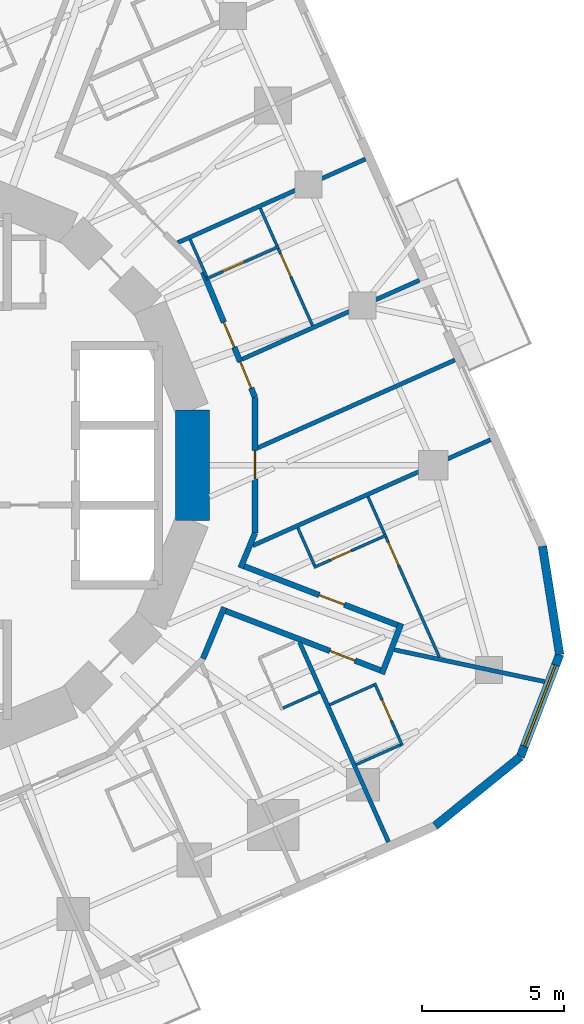
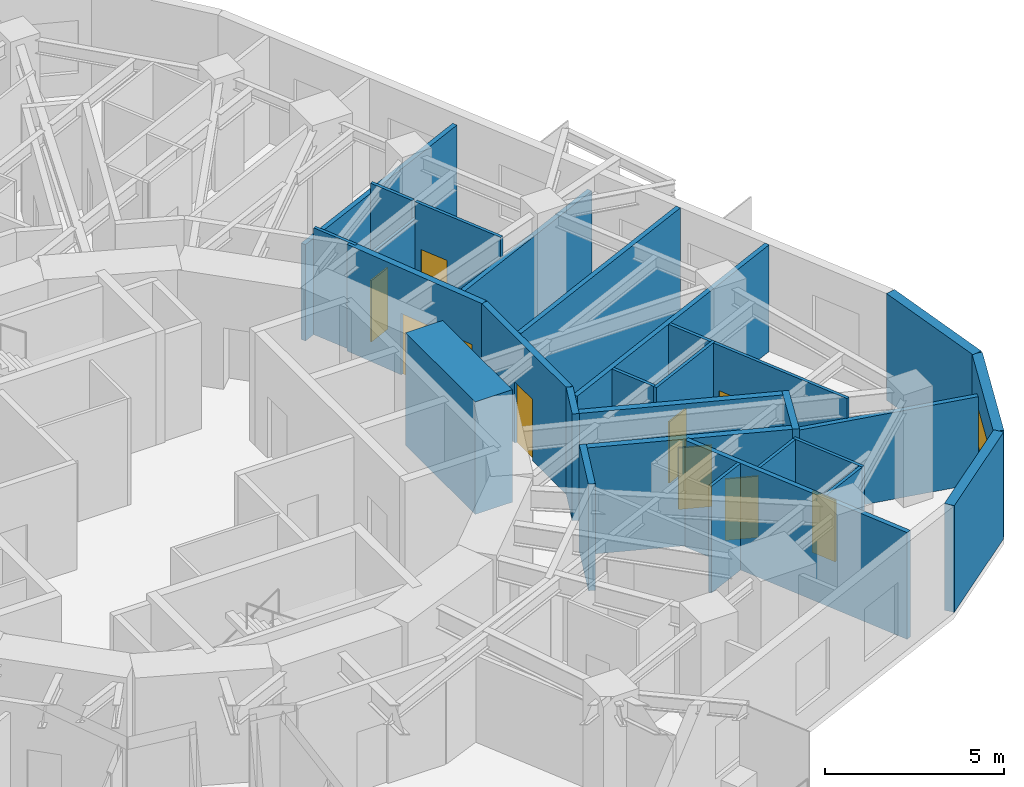
# One storey, part 8 of 12: 29 walls, 10 doors, 1 window, 11 openings.
"""IFC4 building model written with IfcOpenShell, lengths in metres."""

from ifc_helpers import new_model, si_unit, direction, frame, frame_2d, origin, place, context, subcontext, project, spatial, rectangle, extrude, material, layer, layer_set, type_object, element, fill, save


model = new_model("IFC4")

# Units and contexts
model_context = context("Model", 3, precision=1e-05, world=origin(), true_north=direction((0.0, 1.0)))
body_context = subcontext(model_context, "Body", "Model", "MODEL_VIEW")
ifc_project = project(units=[si_unit("LENGTHUNIT", "METRE"), si_unit("AREAUNIT", "SQUARE_METRE"), si_unit("VOLUMEUNIT", "CUBIC_METRE"), si_unit("PLANEANGLEUNIT", "RADIAN"), si_unit("MASSUNIT", "GRAM", prefix="KILO")], contexts=[model_context])

# Site, building, storey
site_placement = place(None, origin())
site = spatial("IfcSite", under=ifc_project, at=site_placement, CompositionType="ELEMENT")
building_placement = place(site_placement, origin())
building = spatial("IfcBuilding", under=site, at=building_placement, Name="Nakasero Lantern House", CompositionType="ELEMENT")
storey_placement = place(building_placement, frame((0.0, 0.0, 186.300048828125)))
storey = spatial("IfcBuildingStorey", under=building, at=storey_placement, Name="L45", CompositionType="ELEMENT", Elevation=186.300048828125)

# Wall
ifc_material_1 = material(Name="Concrete C50/60", Category="concrete")
ifc_layer_1 = layer(ifc_material_1, 1.199951171875)
ifc_layer_set_1 = layer_set([ifc_layer_1], Name="Core wall 1200")
wall_type_1 = type_object("IfcWallType", Name="Core wall 1200", PredefinedType="SHEAR", material=ifc_layer_set_1)
wall_1_placement = place(storey_placement, frame((9.807861328125, -1.950927734375, 0.0), z_axis=(0.0, 0.0, 1.0), x_axis=(0.0, 1.0, 0.0)))
element("IfcWall", 1, at=wall_1_placement, inside=storey, type_object=wall_type_1, Name="Core wall L45 facet 16", PredefinedType="SHEAR", context=body_context, shape_type="SweptSolid", body=[
    extrude(rectangle(XDim=3.90185546875, YDim=1.199951171875, at=frame_2d((1.950927734375, 0.0))), origin(), (0.0, 0.0, 1.0), 3.849853515625),
])

# Wall, opening, door
ifc_material_2 = material(Name="Blockwork", Category="masonry")
ifc_layer_2 = layer(ifc_material_2, 0.199951171875)
ifc_layer_set_2 = layer_set([ifc_layer_2], Name="Corridor wall 200")
wall_type_2 = type_object("IfcWallType", Name="Corridor wall 200", PredefinedType="PARTITIONING", material=ifc_layer_set_2)
wall_2_placement = place(storey_placement, frame((12.0078125, 2.388427734375, 0.0), z_axis=(0.0, 0.0, 1.0), x_axis=(0.0, -1.0, 0.0)))
wall_2 = element("IfcWall", 2, at=wall_2_placement, inside=storey, type_object=wall_type_2, Name="Corridor wall L45 RC00a", PredefinedType="PARTITIONING", context=body_context, shape_type="SweptSolid", body=[
    extrude(rectangle(XDim=4.77685546875, YDim=0.199951171875, at=frame_2d((2.388427734375, 0.0))), origin(), (0.0, 0.0, 1.0), 3.64990234375),
])
opening_1_placement = place(wall_2_placement, frame((1.8701171875, 0.0, 0.0)))
opening_1 = element("IfcOpeningElement", 3, at=opening_1_placement, cuts=wall_2, Name="Opening D03", PredefinedType="OPENING", context=body_context, shape_type="SweptSolid", body=[
    extrude(rectangle(XDim=1.0, YDim=2.10009765625, at=frame_2d((0.5, 1.050048828125))), frame((0.0, 0.119873046875, 0.0), z_axis=(0.0, -1.0, 0.0), x_axis=(1.0, 0.0, 0.0)), (0.0, 0.0, 1.0), 0.239990234375),
])
ifc_material_3 = material(Name="Timber C24", Category="wood")
door_type_1 = type_object("IfcDoorType", Name="Lounge door FD30S 1000", OperationType="SINGLE_SWING_LEFT", PredefinedType="DOOR", material=ifc_material_3)
door_1_placement = place(opening_1_placement, origin())
door_1 = element("IfcDoor", 4, at=door_1_placement, inside=storey, type_object=door_type_1, Name="Door L45 DK0", OperationType="SINGLE_SWING_LEFT", OverallHeight=2.10009765625, OverallWidth=1.0, PredefinedType="DOOR", context=body_context, shape_type="SweptSolid", body=[
    extrude(rectangle(XDim=1.0, YDim=2.10009765625, at=frame_2d((0.5, 1.050048828125))), frame((0.0, 0.02490234375, 0.0), z_axis=(0.0, -1.0, 0.0), x_axis=(1.0, 0.0, 0.0)), (0.0, 0.0, 1.0), 0.050048828125),
])
fill(opening_1, door_1)

# Walls
wall_3_placement = place(storey_placement, frame((12.0078125, -2.388427734375, 0.0), z_axis=(0.0, 0.0, 1.0), x_axis=(-0.382650385623, -0.923893220228, 0.0)))
element("IfcWall", 5, at=wall_3_placement, inside=storey, type_object=wall_type_2, Name="Corridor wall L45 RC01a", PredefinedType="PARTITIONING", context=body_context, shape_type="SweptSolid", body=[
    extrude(rectangle(XDim=1.323974609375, YDim=0.199951171875, at=frame_2d((0.662109375, 0.0))), origin(), (0.0, 0.0, 1.0), 3.64990234375),
])
wall_4_placement = place(storey_placement, frame((10.927001953125, -4.997802734375, 0.0), z_axis=(0.0, 0.0, 1.0), x_axis=(-0.382679353297, -0.923881222106, 0.0)))
element("IfcWall", 6, at=wall_4_placement, inside=storey, type_object=wall_type_2, Name="Corridor wall L45 RC01b", PredefinedType="PARTITIONING", context=body_context, shape_type="SweptSolid", body=[
    extrude(rectangle(XDim=1.952880859375, YDim=0.199951171875, at=frame_2d((0.9765625, 0.0))), origin(), (0.0, 0.0, 1.0), 3.64990234375),
])

# Wall, openings, doors
wall_5_placement = place(storey_placement, frame((10.1796875, 6.802001953125, 0.0), z_axis=(0.0, 0.0, 1.0), x_axis=(0.382676767893, -0.923882292998, 0.0)))
wall_5 = element("IfcWall", 7, at=wall_5_placement, inside=storey, type_object=wall_type_2, Name="Corridor wall L45 RC15a", PredefinedType="PARTITIONING", context=body_context, shape_type="SweptSolid", body=[
    extrude(rectangle(XDim=4.777099609375, YDim=0.199951171875, at=frame_2d((2.388671875, 0.0))), origin(), (0.0, 0.0, 1.0), 3.64990234375),
])
opening_2_placement = place(wall_5_placement, frame((1.919921875, 0.0, 0.0)))
opening_2 = element("IfcOpeningElement", 8, at=opening_2_placement, cuts=wall_5, Name="Opening D01", PredefinedType="OPENING", context=body_context, shape_type="SweptSolid", body=[
    extrude(rectangle(XDim=0.949951171875, YDim=2.10009765625, at=frame_2d((0.47509765625, 1.050048828125))), frame((0.0, 0.119873046875, 0.0), z_axis=(0.0, -1.0, 0.0), x_axis=(1.0, 0.0, 0.0)), (0.0, 0.0, 1.0), 0.239990234375),
])
opening_3_placement = place(wall_5_placement, frame((3.419921875, 0.0, 0.0)))
opening_3 = element("IfcOpeningElement", 9, at=opening_3_placement, cuts=wall_5, Name="Opening D03", PredefinedType="OPENING", context=body_context, shape_type="SweptSolid", body=[
    extrude(rectangle(XDim=1.0, YDim=2.10009765625, at=frame_2d((0.5, 1.050048828125))), frame((0.0, 0.119873046875, 0.0), z_axis=(0.0, -1.0, 0.0), x_axis=(1.0, 0.0, 0.0)), (0.0, 0.0, 1.0), 0.239990234375),
])
ifc_material_4 = material(Name="Timber C24", Category="wood")
door_type_2 = type_object("IfcDoorType", Name="Bedroom door FD30S 950", OperationType="SINGLE_SWING_LEFT", PredefinedType="DOOR", material=ifc_material_4)
door_2_placement = place(opening_2_placement, origin())
door_2 = element("IfcDoor", 10, at=door_2_placement, inside=storey, type_object=door_type_2, Name="Door L45 D0-03", OperationType="SINGLE_SWING_RIGHT", OverallHeight=2.10009765625, OverallWidth=0.949951171875, PredefinedType="DOOR", context=body_context, shape_type="SweptSolid", body=[
    extrude(rectangle(XDim=0.949951171875, YDim=2.10009765625, at=frame_2d((0.47509765625, 1.050048828125))), frame((0.0, 0.02490234375, 0.0), z_axis=(0.0, -1.0, 0.0), x_axis=(1.0, 0.0, 0.0)), (0.0, 0.0, 1.0), 0.050048828125),
])
fill(opening_2, door_2)
door_3_placement = place(opening_3_placement, origin())
door_3 = element("IfcDoor", 11, at=door_3_placement, inside=storey, type_object=door_type_1, Name="Door L45 DK0-1", OperationType="SINGLE_SWING_RIGHT", OverallHeight=2.10009765625, OverallWidth=1.0, PredefinedType="DOOR", context=body_context, shape_type="SweptSolid", body=[
    extrude(rectangle(XDim=1.0, YDim=2.10009765625, at=frame_2d((0.5, 1.050048828125))), frame((0.0, 0.02490234375, 0.0), z_axis=(0.0, -1.0, 0.0), x_axis=(1.0, 0.0, 0.0)), (0.0, 0.0, 1.0), 0.050048828125),
])
fill(opening_3, door_3)

# Wall, opening, door
wall_6_placement = place(storey_placement, frame((10.888671875, -5.09033203125, 0.0), z_axis=(0.0, 0.0, 1.0), x_axis=(0.933587089798, -0.35835059057, 0.0)))
wall_6 = element("IfcWall", 12, at=wall_6_placement, inside=storey, type_object=wall_type_2, Name="Corridor wall L45 SP3a", PredefinedType="PARTITIONING", context=body_context, shape_type="SweptSolid", body=[
    extrude(rectangle(XDim=6.117919921875, YDim=0.199951171875, at=frame_2d((3.05908203125, 0.0))), origin(), (0.0, 0.0, 1.0), 3.64990234375),
])
opening_4_placement = place(wall_6_placement, frame((4.02001953125, 0.0, 0.0)))
opening_4 = element("IfcOpeningElement", 13, at=opening_4_placement, cuts=wall_6, Name="Opening D01", PredefinedType="OPENING", context=body_context, shape_type="SweptSolid", body=[
    extrude(rectangle(XDim=0.949951171875, YDim=2.10009765625, at=frame_2d((0.47509765625, 1.050048828125))), frame((0.0, 0.119873046875, 0.0), z_axis=(0.0, -1.0, 0.0), x_axis=(1.0, 0.0, 0.0)), (0.0, 0.0, 1.0), 0.239990234375),
])
door_4_placement = place(opening_4_placement, origin())
door_4 = element("IfcDoor", 14, at=door_4_placement, inside=storey, type_object=door_type_2, Name="Door L45 D3-06", OperationType="SINGLE_SWING_RIGHT", OverallHeight=2.10009765625, OverallWidth=0.949951171875, PredefinedType="DOOR", context=body_context, shape_type="SweptSolid", body=[
    extrude(rectangle(XDim=0.949951171875, YDim=2.10009765625, at=frame_2d((0.47509765625, 1.050048828125))), frame((0.0, 0.02490234375, 0.0), z_axis=(0.0, -1.0, 0.0), x_axis=(1.0, 0.0, 0.0)), (0.0, 0.0, 1.0), 0.050048828125),
])
fill(opening_4, door_4)

wall_7_placement = place(storey_placement, frame((11.53955078125, -3.51904296875, 0.0), z_axis=(0.0, 0.0, 1.0), x_axis=(0.93357023507, -0.358394497993, 0.0)))
wall_7 = element("IfcWall", 15, at=wall_7_placement, inside=storey, type_object=wall_type_2, Name="Corridor wall L45 SP3b", PredefinedType="PARTITIONING", context=body_context, shape_type="SweptSolid", body=[
    extrude(rectangle(XDim=6.07373046875, YDim=0.199951171875, at=frame_2d((3.036865234375, 0.0))), origin(), (0.0, 0.0, 1.0), 3.64990234375),
])
opening_5_placement = place(wall_7_placement, frame((2.919921875, 0.0, 0.0)))
opening_5 = element("IfcOpeningElement", 16, at=opening_5_placement, cuts=wall_7, Name="Opening D01", PredefinedType="OPENING", context=body_context, shape_type="SweptSolid", body=[
    extrude(rectangle(XDim=0.949951171875, YDim=2.10009765625, at=frame_2d((0.47509765625, 1.050048828125))), frame((0.0, 0.119873046875, 0.0), z_axis=(0.0, -1.0, 0.0), x_axis=(1.0, 0.0, 0.0)), (0.0, 0.0, 1.0), 0.239990234375),
])
door_5_placement = place(opening_5_placement, origin())
door_5 = element("IfcDoor", 17, at=door_5_placement, inside=storey, type_object=door_type_2, Name="Door L45 D0-00", OperationType="SINGLE_SWING_RIGHT", OverallHeight=2.10009765625, OverallWidth=0.949951171875, PredefinedType="DOOR", context=body_context, shape_type="SweptSolid", body=[
    extrude(rectangle(XDim=0.949951171875, YDim=2.10009765625, at=frame_2d((0.47509765625, 1.050048828125))), frame((0.0, 0.02490234375, 0.0), z_axis=(0.0, -1.0, 0.0), x_axis=(1.0, 0.0, 0.0)), (0.0, 0.0, 1.0), 0.050048828125),
])
fill(opening_5, door_5)

# Wall
wall_8_placement = place(storey_placement, frame((16.47119140625, -7.34033203125, 0.0), z_axis=(0.0, 0.0, 1.0), x_axis=(0.3583504709, 0.933587135733, 0.0)))
element("IfcWall", 18, at=wall_8_placement, inside=storey, type_object=wall_type_2, Name="Corridor wall L45 SP3e", PredefinedType="PARTITIONING", context=body_context, shape_type="SweptSolid", body=[
    extrude(rectangle(XDim=1.900146484375, YDim=0.199951171875, at=frame_2d((0.9501953125, 0.0))), origin(), (0.0, 0.0, 1.0), 3.64990234375),
])

# Wall, opening, door
ifc_material_5 = material(Name="Blockwork", Category="masonry")
ifc_layer_3 = layer(ifc_material_5, 0.10009765625)
ifc_layer_set_3 = layer_set([ifc_layer_3], Name="En-suite wall 100")
wall_type_3 = type_object("IfcWallType", Name="En-suite wall 100", PredefinedType="PARTITIONING", material=ifc_layer_set_3)
wall_9_placement = place(storey_placement, frame((14.079345703125, -3.594482421875, 0.0), z_axis=(0.0, 0.0, 1.0), x_axis=(0.913534471978, 0.406761316386, 0.0)))
wall_9 = element("IfcWall", 19, at=wall_9_placement, inside=storey, type_object=wall_type_3, Name="En-suite wall L45 ES0-00", PredefinedType="PARTITIONING", context=body_context, shape_type="SweptSolid", body=[
    extrude(rectangle(XDim=2.800048828125, YDim=0.10009765625, at=frame_2d((1.39990234375, 0.0))), origin(), (0.0, 0.0, 1.0), 3.64990234375),
])
opening_6_placement = place(wall_9_placement, frame((0.64990234375, 0.0, 0.0)))
opening_6 = element("IfcOpeningElement", 20, at=opening_6_placement, cuts=wall_9, Name="Opening D02", PredefinedType="OPENING", context=body_context, shape_type="SweptSolid", body=[
    extrude(rectangle(XDim=0.800048828125, YDim=2.10009765625, at=frame_2d((0.39990234375, 1.050048828125))), frame((0.0, 0.070068359375, 0.0), z_axis=(0.0, -1.0, 0.0), x_axis=(1.0, 0.0, 0.0)), (0.0, 0.0, 1.0), 0.14013671875),
])
ifc_material_6 = material(Name="Timber C24", Category="wood")
door_type_3 = type_object("IfcDoorType", Name="En-suite door 800", OperationType="SINGLE_SWING_RIGHT", PredefinedType="DOOR", material=ifc_material_6)
door_6_placement = place(opening_6_placement, origin())
door_6 = element("IfcDoor", 21, at=door_6_placement, inside=storey, type_object=door_type_3, Name="Door L45 DE0-00", OperationType="SINGLE_SWING_LEFT", OverallHeight=2.10009765625, OverallWidth=0.800048828125, PredefinedType="DOOR", context=body_context, shape_type="SweptSolid", body=[
    extrude(rectangle(XDim=0.800048828125, YDim=2.10009765625, at=frame_2d((0.39990234375, 1.050048828125))), frame((0.0, 0.02490234375, 0.0), z_axis=(0.0, -1.0, 0.0), x_axis=(1.0, 0.0, 0.0)), (0.0, 0.0, 1.0), 0.050048828125),
])
fill(opening_6, door_6)

# Walls
for number, where, z_axis, x_axis, name in (
    (22, (16.571044921875, -2.430419921875, 0.0), (0.0, 0.0, 1.0), (-0.406622700638, 0.91359617957, 0.0), "En-suite wall L45 EE0-00"),
    (23, (14.1044921875, -3.528564453125, 0.0), (0.0, 0.0, 1.0), (-0.406622700638, 0.91359617957, 0.0), "En-suite wall L45 EI0-00"),
):
    element("IfcWall", number, at=place(storey_placement, frame(where, z_axis=z_axis, x_axis=x_axis)), inside=storey, type_object=wall_type_3, Name=name, PredefinedType="PARTITIONING", context=body_context, shape_type="SweptSolid", body=[
        extrude(rectangle(XDim=1.449951171875, YDim=0.10009765625, at=frame_2d((0.72509765625, 0.0))), origin(), (0.0, 0.0, 1.0), 3.64990234375),
    ])

# Wall, opening, door
wall_10_placement = place(storey_placement, frame((10.29248046875, 6.550048828125, 0.0), z_axis=(0.0, 0.0, 1.0), x_axis=(0.913534471978, 0.406761316386, 0.0)))
wall_10 = element("IfcWall", 24, at=wall_10_placement, inside=storey, type_object=wall_type_3, Name="En-suite wall L45 ES0-03", PredefinedType="PARTITIONING", context=body_context, shape_type="SweptSolid", body=[
    extrude(rectangle(XDim=2.800048828125, YDim=0.10009765625, at=frame_2d((1.39990234375, 0.0))), origin(), (0.0, 0.0, 1.0), 3.037841796875),
])
opening_7_placement = place(wall_10_placement, frame((0.64990234375, 0.0, 0.0)))
opening_7 = element("IfcOpeningElement", 25, at=opening_7_placement, cuts=wall_10, Name="Opening D02", PredefinedType="OPENING", context=body_context, shape_type="SweptSolid", body=[
    extrude(rectangle(XDim=0.800048828125, YDim=2.10009765625, at=frame_2d((0.39990234375, 1.050048828125))), frame((0.0, 0.070068359375, 0.0), z_axis=(0.0, -1.0, 0.0), x_axis=(1.0, 0.0, 0.0)), (0.0, 0.0, 1.0), 0.14013671875),
])
door_7_placement = place(opening_7_placement, origin())
door_7 = element("IfcDoor", 26, at=door_7_placement, inside=storey, type_object=door_type_3, Name="Door L45 DE0-03", OperationType="SINGLE_SWING_LEFT", OverallHeight=2.10009765625, OverallWidth=0.800048828125, PredefinedType="DOOR", context=body_context, shape_type="SweptSolid", body=[
    extrude(rectangle(XDim=0.800048828125, YDim=2.10009765625, at=frame_2d((0.39990234375, 1.050048828125))), frame((0.0, 0.02490234375, 0.0), z_axis=(0.0, -1.0, 0.0), x_axis=(1.0, 0.0, 0.0)), (0.0, 0.0, 1.0), 0.050048828125),
])
fill(opening_7, door_7)

# Walls
wall_11_placement = place(storey_placement, frame((12.784423828125, 7.71435546875, 0.0), z_axis=(0.0, 0.0, 1.0), x_axis=(-0.40682579145, 0.913505761017, 0.0)))
element("IfcWall", 27, at=wall_11_placement, inside=storey, type_object=wall_type_3, Name="En-suite wall L45 EE0-03", PredefinedType="PARTITIONING", context=body_context, shape_type="SweptSolid", body=[
    extrude(rectangle(XDim=1.449951171875, YDim=0.10009765625, at=frame_2d((0.72509765625, 0.0))), origin(), (0.0, 0.0, 1.0), 3.64990234375),
])
wall_12_placement = place(storey_placement, frame((10.31787109375, 6.615966796875, 0.0), z_axis=(0.0, 0.0, 1.0), x_axis=(-0.406763220732, 0.913533624044, 0.0)))
element("IfcWall", 28, at=wall_12_placement, inside=storey, type_object=wall_type_3, Name="En-suite wall L45 EI0-03", PredefinedType="PARTITIONING", context=body_context, shape_type="SweptSolid", body=[
    extrude(rectangle(XDim=1.4501953125, YDim=0.10009765625, at=frame_2d((0.72509765625, 0.0))), origin(), (0.0, 0.0, 1.0), 3.64990234375),
])
wall_13_placement = place(storey_placement, frame((12.992431640625, -8.542236328125, 0.0), z_axis=(0.0, 0.0, 1.0), x_axis=(0.913487636581, 0.406866486472, 0.0)))
element("IfcWall", 29, at=wall_13_placement, inside=storey, type_object=wall_type_3, Name="En-suite wall L45 EE3-05", PredefinedType="PARTITIONING", context=body_context, shape_type="SweptSolid", body=[
    extrude(rectangle(XDim=1.39990234375, YDim=0.10009765625, at=frame_2d((0.699951171875, 0.0))), origin(), (0.0, 0.0, 1.0), 3.64990234375),
])

# Wall, opening, door
wall_14_placement = place(storey_placement, frame((16.215087890625, -7.66748046875, 0.0), z_axis=(0.0, 0.0, 1.0), x_axis=(0.40677069889, -0.913530294257, 0.0)))
wall_14 = element("IfcWall", 30, at=wall_14_placement, inside=storey, type_object=wall_type_3, Name="En-suite wall L45 ES3-06", PredefinedType="PARTITIONING", context=body_context, shape_type="SweptSolid", body=[
    extrude(rectangle(XDim=2.400146484375, YDim=0.10009765625, at=frame_2d((1.2001953125, 0.0))), origin(), (0.0, 0.0, 1.0), 3.64990234375),
])
opening_8_placement = place(wall_14_placement, frame((0.64990234375, 0.0, 0.0)))
opening_8 = element("IfcOpeningElement", 31, at=opening_8_placement, cuts=wall_14, Name="Opening D02", PredefinedType="OPENING", context=body_context, shape_type="SweptSolid", body=[
    extrude(rectangle(XDim=0.800048828125, YDim=2.10009765625, at=frame_2d((0.39990234375, 1.050048828125))), frame((0.0, 0.070068359375, 0.0), z_axis=(0.0, -1.0, 0.0), x_axis=(1.0, 0.0, 0.0)), (0.0, 0.0, 1.0), 0.14013671875),
])
door_8_placement = place(opening_8_placement, origin())
door_8 = element("IfcDoor", 32, at=door_8_placement, inside=storey, type_object=door_type_3, Name="Door L45 DE3-06", OperationType="SINGLE_SWING_LEFT", OverallHeight=2.10009765625, OverallWidth=0.800048828125, PredefinedType="DOOR", context=body_context, shape_type="SweptSolid", body=[
    extrude(rectangle(XDim=0.800048828125, YDim=2.10009765625, at=frame_2d((0.39990234375, 1.050048828125))), frame((0.0, 0.02490234375, 0.0), z_axis=(0.0, -1.0, 0.0), x_axis=(1.0, 0.0, 0.0)), (0.0, 0.0, 1.0), 0.050048828125),
])
fill(opening_8, door_8)

# Walls
wall_15_placement = place(storey_placement, frame((15.572265625, -10.526123046875, 0.0), z_axis=(0.0, 0.0, 1.0), x_axis=(0.913550776237, 0.406724697108, 0.0)))
element("IfcWall", 33, at=wall_15_placement, inside=storey, type_object=wall_type_3, Name="En-suite wall L45 EE3-06", PredefinedType="PARTITIONING", context=body_context, shape_type="SweptSolid", body=[
    extrude(rectangle(XDim=1.699951171875, YDim=0.10009765625, at=frame_2d((0.85009765625, 0.0))), origin(), (0.0, 0.0, 1.0), 3.64990234375),
])
wall_16_placement = place(storey_placement, frame((14.63671875, -8.425048828125, 0.0), z_axis=(0.0, 0.0, 1.0), x_axis=(0.91357452948, 0.406671340378, 0.0)))
element("IfcWall", 34, at=wall_16_placement, inside=storey, type_object=wall_type_3, Name="En-suite wall L45 EI3-06", PredefinedType="PARTITIONING", context=body_context, shape_type="SweptSolid", body=[
    extrude(rectangle(XDim=1.7001953125, YDim=0.10009765625, at=frame_2d((0.85009765625, 0.0))), origin(), (0.0, 0.0, 1.0), 3.64990234375),
])

# Wall, opening, door
wall_17_placement = place(storey_placement, frame((18.494140625, -6.749267578125, 0.0), z_axis=(0.0, 0.0, 1.0), x_axis=(-0.406755138931, 0.913537222533, 0.0)))
wall_17 = element("IfcWall", 35, at=wall_17_placement, inside=storey, type_object=wall_type_3, Name="En-suite wall L45 EL0-00", PredefinedType="PARTITIONING", context=body_context, shape_type="SweptSolid", body=[
    extrude(rectangle(XDim=4.627685546875, YDim=0.10009765625, at=frame_2d((2.31396484375, 0.0))), origin(), (0.0, 0.0, 1.0), 3.64990234375),
])
opening_9_placement = place(wall_17_placement, frame((3.527587890625, 0.0, 0.0)))
opening_9 = element("IfcOpeningElement", 36, at=opening_9_placement, cuts=wall_17, Name="Opening D17", PredefinedType="OPENING", context=body_context, shape_type="SweptSolid", body=[
    extrude(rectangle(XDim=0.89990234375, YDim=2.10009765625, at=frame_2d((0.449951171875, 1.050048828125))), frame((0.0, 0.070068359375, 0.0), z_axis=(0.0, -1.0, 0.0), x_axis=(1.0, 0.0, 0.0)), (0.0, 0.0, 1.0), 0.14013671875),
])
ifc_material_7 = material(Name="Timber C24", Category="wood")
door_type_4 = type_object("IfcDoorType", Name="Bedroom door FD30S 900", OperationType="SINGLE_SWING_LEFT", PredefinedType="DOOR", material=ifc_material_7)
door_9_placement = place(opening_9_placement, origin())
door_9 = element("IfcDoor", 37, at=door_9_placement, inside=storey, type_object=door_type_4, Name="Door L45 DL0-00", OperationType="SINGLE_SWING_RIGHT", OverallHeight=2.10009765625, OverallWidth=0.89990234375, PredefinedType="DOOR", context=body_context, shape_type="SweptSolid", body=[
    extrude(rectangle(XDim=0.89990234375, YDim=2.10009765625, at=frame_2d((0.449951171875, 1.050048828125))), frame((0.0, 0.02490234375, 0.0), z_axis=(0.0, -1.0, 0.0), x_axis=(1.0, 0.0, 0.0)), (0.0, 0.0, 1.0), 0.050048828125),
])
fill(opening_9, door_9)

wall_18_placement = place(storey_placement, frame((14.03125, 4.913818359375, 0.0), z_axis=(0.0, 0.0, 1.0), x_axis=(-0.406787659366, 0.91352274202, 0.0)))
wall_18 = element("IfcWall", 38, at=wall_18_placement, inside=storey, type_object=wall_type_3, Name="En-suite wall L45 EL0-03", PredefinedType="PARTITIONING", context=body_context, shape_type="SweptSolid", body=[
    extrude(rectangle(XDim=2.96533203125, YDim=0.10009765625, at=frame_2d((1.482666015625, 0.0))), origin(), (0.0, 0.0, 1.0), 3.64990234375),
])
opening_10_placement = place(wall_18_placement, frame((1.865478515625, 0.0, 0.0)))
opening_10 = element("IfcOpeningElement", 39, at=opening_10_placement, cuts=wall_18, Name="Opening D17", PredefinedType="OPENING", context=body_context, shape_type="SweptSolid", body=[
    extrude(rectangle(XDim=0.89990234375, YDim=2.10009765625, at=frame_2d((0.449951171875, 1.050048828125))), frame((0.0, 0.070068359375, 0.0), z_axis=(0.0, -1.0, 0.0), x_axis=(1.0, 0.0, 0.0)), (0.0, 0.0, 1.0), 0.14013671875),
])
door_10_placement = place(opening_10_placement, origin())
door_10 = element("IfcDoor", 40, at=door_10_placement, inside=storey, type_object=door_type_4, Name="Door L45 DL0-03", OperationType="SINGLE_SWING_RIGHT", OverallHeight=2.10009765625, OverallWidth=0.89990234375, PredefinedType="DOOR", context=body_context, shape_type="SweptSolid", body=[
    extrude(rectangle(XDim=0.89990234375, YDim=2.10009765625, at=frame_2d((0.449951171875, 1.050048828125))), frame((0.0, 0.02490234375, 0.0), z_axis=(0.0, -1.0, 0.0), x_axis=(1.0, 0.0, 0.0)), (0.0, 0.0, 1.0), 0.050048828125),
])
fill(opening_10, door_10)

# Wall
ifc_material_8 = material(Name="Aluminium rainscreen on blockwork", Category="masonry")
ifc_layer_4 = layer(ifc_material_8, 0.300048828125)
ifc_layer_set_4 = layer_set([ifc_layer_4], Name="Facade wall 300")
wall_type_4 = type_object("IfcWallType", Name="Facade wall 300", PredefinedType="SOLIDWALL", material=ifc_layer_set_4)
wall_19_placement = place(storey_placement, frame((18.345458984375, -12.684814453125, 0.0), z_axis=(0.0, 0.0, 1.0), x_axis=(0.777174099125, 0.629285642335, 0.0)))
element("IfcWall", 41, at=wall_19_placement, inside=storey, type_object=wall_type_4, Name="Facade wall L45 FW3C1", PredefinedType="SOLIDWALL", context=body_context, shape_type="SweptSolid", body=[
    extrude(rectangle(XDim=3.8564453125, YDim=0.300048828125, at=frame_2d((1.92822265625, 0.0))), origin(), (0.0, 0.0, 1.0), 3.64990234375),
])

# Wall, opening, window
wall_20_placement = place(storey_placement, frame((21.342529296875, -10.258056640625, 0.0), z_axis=(0.0, 0.0, 1.0), x_axis=(0.358321438858, 0.933598278948, 0.0)))
wall_20 = element("IfcWall", 42, at=wall_20_placement, inside=storey, type_object=wall_type_4, Name="Facade wall L45 FW3C2", PredefinedType="SOLIDWALL", context=body_context, shape_type="SweptSolid", body=[
    extrude(rectangle(XDim=3.8564453125, YDim=0.300048828125, at=frame_2d((1.92822265625, 0.0))), origin(), (0.0, 0.0, 1.0), 3.64990234375),
])
opening_11_placement = place(wall_20_placement, frame((0.39990234375, 0.0, 0.75)))
opening_11 = element("IfcOpeningElement", 43, at=opening_11_placement, cuts=wall_20, Name="Opening W230", PredefinedType="OPENING", context=body_context, shape_type="SweptSolid", body=[
    extrude(rectangle(XDim=3.055908203125, YDim=1.800048828125, at=frame_2d((1.52783203125, 0.89990234375))), frame((0.0, 0.169921875, 0.0), z_axis=(0.0, -1.0, 0.0), x_axis=(1.0, 0.0, 0.0)), (0.0, 0.0, 1.0), 0.340087890625),
])
ifc_material_9 = material(Name="Aluminium 6063-T6 and glass", Category="aluminium")
window_type = type_object("IfcWindowType", Name="Corner window 3056x1800", PartitioningType="SINGLE_PANEL", PredefinedType="WINDOW", material=ifc_material_9)
window_placement = place(opening_11_placement, origin())
window = element("IfcWindow", 44, at=window_placement, inside=storey, type_object=window_type, Name="Window L45 WC3", OverallHeight=1.800048828125, OverallWidth=3.055908203125, PartitioningType="SINGLE_PANEL", PredefinedType="WINDOW", context=body_context, shape_type="SweptSolid", body=[
    extrude(rectangle(XDim=3.055908203125, YDim=1.800048828125, at=frame_2d((1.52783203125, 0.89990234375))), frame((0.0, 0.030029296875, 0.0), z_axis=(0.0, -1.0, 0.0), x_axis=(1.0, 0.0, 0.0)), (0.0, 0.0, 1.0), 0.06005859375),
])
fill(opening_11, window)

# Walls
wall_21_placement = place(storey_placement, frame((22.724365234375, -6.65771484375, 0.0), z_axis=(0.0, 0.0, 1.0), x_axis=(-0.156437203878, 0.987687906802, 0.0)))
element("IfcWall", 45, at=wall_21_placement, inside=storey, type_object=wall_type_4, Name="Facade wall L45 FW3C3", PredefinedType="SOLIDWALL", context=body_context, shape_type="SweptSolid", body=[
    extrude(rectangle(XDim=3.856201171875, YDim=0.300048828125, at=frame_2d((1.92822265625, 0.0))), origin(), (0.0, 0.0, 1.0), 3.64990234375),
])
ifc_material_10 = material(Name="Blockwork", Category="masonry")
ifc_layer_5 = layer(ifc_material_10, 0.14990234375)
ifc_layer_set_5 = layer_set([ifc_layer_5], Name="Party wall 150")
wall_type_5 = type_object("IfcWallType", Name="Party wall 150", PredefinedType="PARTITIONING", material=ifc_layer_set_5)
wall_22_placement = place(storey_placement, frame((11.935302734375, -2.824951171875, 0.0), z_axis=(0.0, 0.0, 1.0), x_axis=(0.91355156837, 0.40672291788, 0.0)))
element("IfcWall", 46, at=wall_22_placement, inside=storey, type_object=wall_type_5, Name="Party wall L45 PW0-01", PredefinedType="PARTITIONING", context=body_context, shape_type="SweptSolid", body=[
    extrude(rectangle(XDim=9.1455078125, YDim=0.14990234375, at=frame_2d((4.57275390625, 0.0))), origin(), (0.0, 0.0, 1.0), 3.64990234375),
])
wall_23_placement = place(storey_placement, frame((12.10791015625, 0.61376953125, 0.0), z_axis=(0.0, 0.0, 1.0), x_axis=(0.913552679772, 0.406720421521, 0.0)))
element("IfcWall", 47, at=wall_23_placement, inside=storey, type_object=wall_type_5, Name="Party wall L45 PW0-02", PredefinedType="PARTITIONING", context=body_context, shape_type="SweptSolid", body=[
    extrude(rectangle(XDim=7.589111328125, YDim=0.14990234375, at=frame_2d((3.79443359375, 0.0))), origin(), (0.0, 0.0, 1.0), 3.64990234375),
])
wall_24_placement = place(storey_placement, frame((11.559814453125, 3.7314453125, 0.0), z_axis=(0.0, 0.0, 1.0), x_axis=(0.913544226514, 0.406739408224, 0.0)))
element("IfcWall", 48, at=wall_24_placement, inside=storey, type_object=wall_type_5, Name="Party wall L45 PW0-03", PredefinedType="PARTITIONING", context=body_context, shape_type="SweptSolid", body=[
    extrude(rectangle(XDim=6.82177734375, YDim=0.14990234375, at=frame_2d((3.410888671875, 0.0))), origin(), (0.0, 0.0, 1.0), 2.966552734375),
])
wall_25_placement = place(storey_placement, frame((9.293701171875, 7.829345703125, 0.0), z_axis=(0.0, 0.0, 1.0), x_axis=(0.913535447493, 0.406759125496, 0.0)))
element("IfcWall", 49, at=wall_25_placement, inside=storey, type_object=wall_type_5, Name="Party wall L45 PW0-04", PredefinedType="PARTITIONING", context=body_context, shape_type="SweptSolid", body=[
    extrude(rectangle(XDim=7.225341796875, YDim=0.14990234375, at=frame_2d((3.61279296875, 0.0))), origin(), (0.0, 0.0, 1.0), 3.294921875),
])
wall_26_placement = place(storey_placement, frame((13.5771484375, -6.2294921875, 0.0), z_axis=(0.0, 0.0, 1.0), x_axis=(0.406733656408, -0.913546787387, 0.0)))
element("IfcWall", 50, at=wall_26_placement, inside=storey, type_object=wall_type_5, Name="Party wall L45 PW3-06", PredefinedType="PARTITIONING", context=body_context, shape_type="SweptSolid", body=[
    extrude(rectangle(XDim=7.686767578125, YDim=0.14990234375, at=frame_2d((3.84326171875, 0.0))), origin(), (0.0, 0.0, 1.0), 3.64990234375),
])
wall_27_placement = place(storey_placement, frame((16.905029296875, -6.4892578125, 0.0), z_axis=(0.0, 0.0, 1.0), x_axis=(0.97828299633, -0.207273681618, 0.0)))
element("IfcWall", 51, at=wall_27_placement, inside=storey, type_object=wall_type_5, Name="Party wall L45 PW0-00", PredefinedType="PARTITIONING", context=body_context, shape_type="SweptSolid", body=[
    extrude(rectangle(XDim=5.4052734375, YDim=0.14990234375, at=frame_2d((2.70263671875, 0.0))), origin(), (0.0, 0.0, 1.0), 2.966552734375),
])

save(model, "model.ifc")
